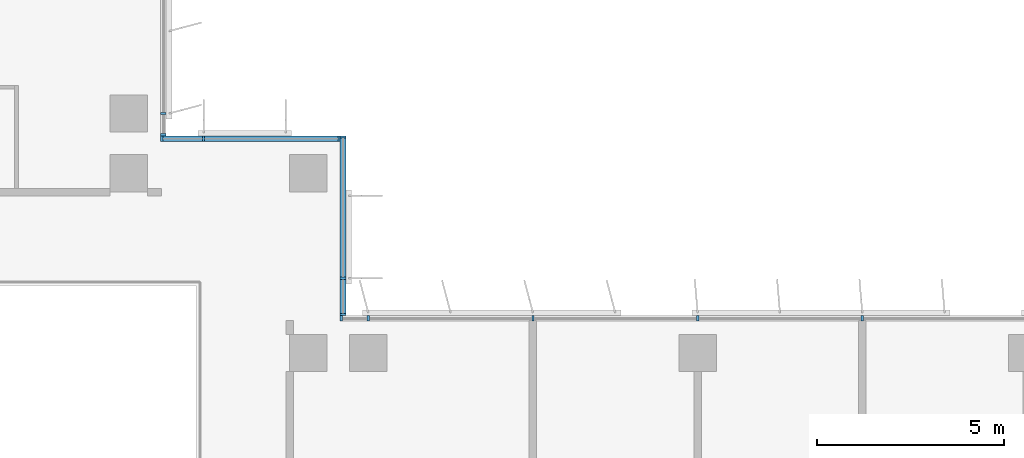
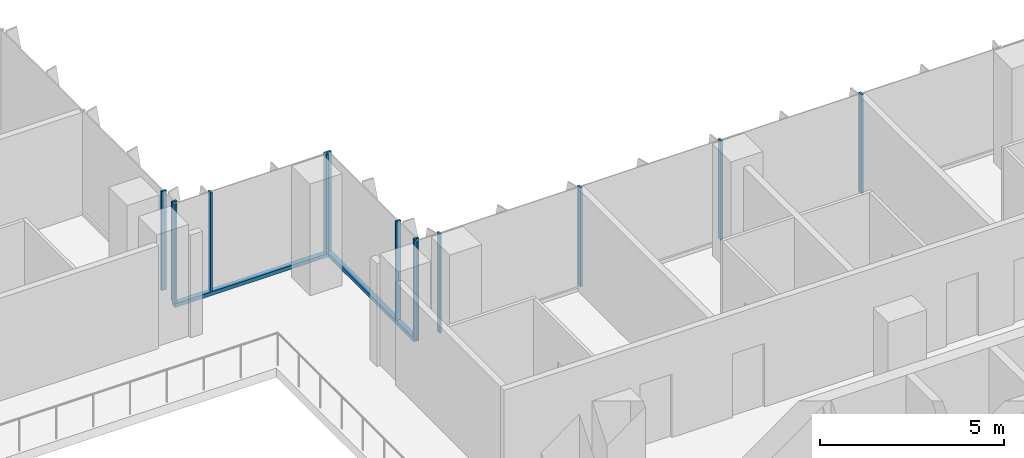
# One storey, part 2 of 21: 15 members, 4 elements without a shape of their own.
"""IFC4 building model written with IfcOpenShell, lengths in metres."""

from ifc_helpers import new_model, si_unit, direction, frame, origin, origin_2d, place, context, subcontext, project, spatial, rectangle, extrude, source, transform, mapped, material, material_profile, profile_set, type_object, element, aggregate, save


model = new_model("IFC4")

# Units and contexts
model_context = context("Model", 3, precision=1e-05, world=origin(), true_north=direction((0.0, 1.0)))
body_context = subcontext(model_context, "Body", "Model", "MODEL_VIEW")
ifc_project = project(units=[si_unit("LENGTHUNIT", "METRE"), si_unit("AREAUNIT", "SQUARE_METRE"), si_unit("VOLUMEUNIT", "CUBIC_METRE"), si_unit("PLANEANGLEUNIT", "RADIAN"), si_unit("MASSUNIT", "GRAM", prefix="KILO")], contexts=[model_context])

# Site, building, storey
site_placement = place(None, origin())
site = spatial("IfcSite", under=ifc_project, at=site_placement, CompositionType="ELEMENT")
building_placement = place(site_placement, origin())
building = spatial("IfcBuilding", under=site, at=building_placement, Name="Kemantara Hotel Tower", CompositionType="ELEMENT")
storey_placement = place(building_placement, frame((0.0, 0.0, 211.699951171875)))
storey = spatial("IfcBuildingStorey", under=building, at=storey_placement, Name="L52", CompositionType="ELEMENT", Elevation=211.699951171875)

# Curtain wall, member
ifc_material_1 = material(Name="Low-E tinted double insulated glass 36 mm", Category="glass")
curtain_wall_type = type_object("IfcCurtainWallType", Name="TOWER CURTAIN WALL, FRONT FACES", PredefinedType="USERDEFINED", material=ifc_material_1)
curtain_wall_1_placement = place(storey_placement, origin())
curtain_wall_1 = element("IfcCurtainWall", 1, at=curtain_wall_1_placement, inside=storey, type_object=curtain_wall_type, Name="CW4 L52 T3-R15-1", ObjectType="TOWER CURTAIN WALL, FRONT FACES", PredefinedType="USERDEFINED")
ifc_material_2 = material(Name="Aluminium 6063-T6 bronze anodised", Category="aluminium")
ifc_material_profile_1 = material_profile(ifc_material_2, rectangle(XDim=0.14990234375, YDim=0.1201171875, at=origin_2d()), Name="TOWER CURTAIN WALL, FRONT FACES TRANSOM")
ifc_profile_set_1 = profile_set([ifc_material_profile_1], Name="Aluminium 6063-T6 bronze anodised")
member_type_1 = type_object("IfcMemberType", Name="TOWER CURTAIN WALL, FRONT FACES TRANSOM", PredefinedType="USERDEFINED", material=ifc_profile_set_1)
member_1_placement = place(storey_placement, frame((26.72509765625, 22.0, 0.06005859375), z_axis=(0.0, 1.0, 0.0), x_axis=(-1.0, 0.0, 0.0)))
member_1 = element("IfcMember", 2, at=member_1_placement, type_object=member_type_1, Name="CW4 sill transom T3-R15-1", ObjectType="TRANSOM", PredefinedType="USERDEFINED", context=body_context, shape_type="SweptSolid", body=[
    extrude(rectangle(XDim=0.14990234375, YDim=0.1201171875, at=origin_2d()), origin(), (0.0, 0.0, 1.0), 4.800048828125),
])

curtain_wall_2_placement = place(storey_placement, origin())
curtain_wall_2 = element("IfcCurtainWall", 3, at=curtain_wall_2_placement, inside=storey, type_object=curtain_wall_type, Name="CW4 L52 T3-R16-1", ObjectType="TOWER CURTAIN WALL, FRONT FACES", PredefinedType="USERDEFINED")
member_2_placement = place(storey_placement, frame((26.64990234375, 26.72509765625, 0.06005859375), z_axis=(-1.0, 0.0, 0.0), x_axis=(0.0, -1.0, 0.0)))
member_2 = element("IfcMember", 4, at=member_2_placement, type_object=member_type_1, Name="CW4 sill transom T3-R16-1", ObjectType="TRANSOM", PredefinedType="USERDEFINED", context=body_context, shape_type="SweptSolid", body=[
    extrude(rectangle(XDim=0.14990234375, YDim=0.1201171875, at=origin_2d()), origin(), (0.0, 0.0, 1.0), 4.7998046875),
])

# Curtain wall, members
curtain_wall_3_placement = place(storey_placement, origin())
curtain_wall_3 = element("IfcCurtainWall", 5, at=curtain_wall_3_placement, inside=storey, type_object=curtain_wall_type, Name="CW4 L52 T3-R14-1", ObjectType="TOWER CURTAIN WALL, FRONT FACES", PredefinedType="USERDEFINED")
ifc_material_profile_2 = material_profile(ifc_material_2, rectangle(XDim=0.14990234375, YDim=0.06005859375, at=origin_2d()), Name="TOWER CURTAIN WALL, FRONT FACES MULLION")
ifc_profile_set_2 = profile_set([ifc_material_profile_2], Name="Aluminium 6063-T6 bronze anodised")
member_type_2 = type_object("IfcMemberType", Name="TOWER CURTAIN WALL, FRONT FACES MULLION", PredefinedType="MULLION", material=ifc_profile_set_2)
shared_shape = source(origin(), body_context, "Body", "SweptSolid", [
    extrude(rectangle(XDim=0.14990234375, YDim=0.06005859375, at=origin_2d()), origin(), (0.0, 0.0, 1.0), 3.280029296875),
])
member_3_placement = place(storey_placement, frame((40.60009765625, 21.925048828125, 0.1201171875), z_axis=(0.0, 0.0, 1.0), x_axis=(0.0, -1.0, 0.0)))
member_3 = element("IfcMember", 6, at=member_3_placement, type_object=member_type_2, Name="CW4 mullion T3-R14-1.6", PredefinedType="MULLION", context=body_context, shape_type="MappedRepresentation", body=[
    mapped(shared_shape, transform((0.0, 0.0, 0.0))),
])
member_4_placement = place(storey_placement, frame((36.199951171875, 21.925048828125, 0.1201171875), z_axis=(0.0, 0.0, 1.0), x_axis=(0.0, -1.0, 0.0)))
member_4 = element("IfcMember", 7, at=member_4_placement, type_object=member_type_2, Name="CW4 mullion T3-R14-1.7", PredefinedType="MULLION", context=body_context, shape_type="MappedRepresentation", body=[
    mapped(shared_shape, transform((0.0, 0.0, 0.0))),
])
member_5_placement = place(storey_placement, frame((31.800048828125, 21.925048828125, 0.1201171875), z_axis=(0.0, 0.0, 1.0), x_axis=(0.0, -1.0, 0.0)))
member_5 = element("IfcMember", 8, at=member_5_placement, type_object=member_type_2, Name="CW4 mullion T3-R14-1.8", PredefinedType="MULLION", context=body_context, shape_type="MappedRepresentation", body=[
    mapped(shared_shape, transform((0.0, 0.0, 0.0))),
])
member_6_placement = place(storey_placement, frame((27.39990234375, 21.925048828125, 0.1201171875), z_axis=(0.0, 0.0, 1.0), x_axis=(0.0, -1.0, 0.0)))
member_6 = element("IfcMember", 9, at=member_6_placement, type_object=member_type_2, Name="CW4 mullion T3-R14-1.9", PredefinedType="MULLION", context=body_context, shape_type="MappedRepresentation", body=[
    mapped(shared_shape, transform((0.0, 0.0, 0.0))),
])
member_7_placement = place(storey_placement, frame((26.679931640625, 21.925048828125, 0.1201171875), z_axis=(0.0, 0.0, 1.0), x_axis=(0.0, -1.0, 0.0)))
member_7 = element("IfcMember", 10, at=member_7_placement, type_object=member_type_2, Name="CW4 mullion T3-R14-1.10", PredefinedType="MULLION", context=body_context, shape_type="MappedRepresentation", body=[
    mapped(shared_shape, transform((0.0, 0.0, 0.0))),
])
aggregate(curtain_wall_3, [member_3, member_4, member_5, member_6, member_7])

# Member
member_8_placement = place(storey_placement, frame((26.72509765625, 22.030029296875, 0.1201171875), z_axis=(0.0, 0.0, 1.0), x_axis=(-1.0, 0.0, 0.0)))
member_8 = element("IfcMember", 11, at=member_8_placement, type_object=member_type_2, Name="CW4 mullion T3-R15-1.1", PredefinedType="MULLION", context=body_context, shape_type="MappedRepresentation", body=[
    mapped(shared_shape, transform((0.0, 0.0, 0.0))),
])

member_9_placement = place(storey_placement, frame((26.72509765625, 23.0, 0.1201171875), z_axis=(0.0, 0.0, 1.0), x_axis=(-1.0, 0.0, 0.0)))
member_9 = element("IfcMember", 12, at=member_9_placement, type_object=member_type_2, Name="CW4 mullion T3-R15-1.2", PredefinedType="MULLION", context=body_context, shape_type="MappedRepresentation", body=[
    mapped(shared_shape, transform((0.0, 0.0, 0.0))),
])

member_10_placement = place(storey_placement, frame((26.72509765625, 26.77001953125, 0.1201171875), z_axis=(0.0, 0.0, 1.0), x_axis=(-1.0, 0.0, 0.0)))
member_10 = element("IfcMember", 13, at=member_10_placement, type_object=member_type_2, Name="CW4 mullion T3-R15-1.3", PredefinedType="MULLION", context=body_context, shape_type="MappedRepresentation", body=[
    mapped(shared_shape, transform((0.0, 0.0, 0.0))),
])

aggregate(curtain_wall_1, [member_1, member_8, member_9, member_10])

member_11_placement = place(storey_placement, frame((26.6201171875, 26.72509765625, 0.1201171875), z_axis=(0.0, 0.0, 1.0), x_axis=(0.0, -1.0, 0.0)))
member_11 = element("IfcMember", 14, at=member_11_placement, type_object=member_type_2, Name="CW4 mullion T3-R16-1.1", PredefinedType="MULLION", context=body_context, shape_type="MappedRepresentation", body=[
    mapped(shared_shape, transform((0.0, 0.0, 0.0))),
])

member_12_placement = place(storey_placement, frame((23.0, 26.72509765625, 0.1201171875), z_axis=(0.0, 0.0, 1.0), x_axis=(0.0, -1.0, 0.0)))
member_12 = element("IfcMember", 15, at=member_12_placement, type_object=member_type_2, Name="CW4 mullion T3-R16-1.2", PredefinedType="MULLION", context=body_context, shape_type="MappedRepresentation", body=[
    mapped(shared_shape, transform((0.0, 0.0, 0.0))),
])

member_13_placement = place(storey_placement, frame((21.8798828125, 26.72509765625, 0.1201171875), z_axis=(0.0, 0.0, 1.0), x_axis=(0.0, -1.0, 0.0)))
member_13 = element("IfcMember", 16, at=member_13_placement, type_object=member_type_2, Name="CW4 mullion T3-R16-1.3", PredefinedType="MULLION", context=body_context, shape_type="MappedRepresentation", body=[
    mapped(shared_shape, transform((0.0, 0.0, 0.0))),
])

aggregate(curtain_wall_2, [member_2, member_11, member_12, member_13])

# Curtain wall, members
curtain_wall_4_placement = place(storey_placement, origin())
curtain_wall_4 = element("IfcCurtainWall", 17, at=curtain_wall_4_placement, inside=storey, type_object=curtain_wall_type, Name="CW4 L52 T3-R17-1", ObjectType="TOWER CURTAIN WALL, FRONT FACES", PredefinedType="USERDEFINED")
member_14_placement = place(storey_placement, frame((21.925048828125, 26.830078125, 0.1201171875), z_axis=(0.0, 0.0, 1.0), x_axis=(-1.0, 0.0, 0.0)))
member_14 = element("IfcMember", 18, at=member_14_placement, type_object=member_type_2, Name="CW4 mullion T3-R17-1.1", PredefinedType="MULLION", context=body_context, shape_type="MappedRepresentation", body=[
    mapped(shared_shape, transform((0.0, 0.0, 0.0))),
])
member_15_placement = place(storey_placement, frame((21.925048828125, 27.39990234375, 0.1201171875), z_axis=(0.0, 0.0, 1.0), x_axis=(-1.0, 0.0, 0.0)))
member_15 = element("IfcMember", 19, at=member_15_placement, type_object=member_type_2, Name="CW4 mullion T3-R17-1.2", PredefinedType="MULLION", context=body_context, shape_type="MappedRepresentation", body=[
    mapped(shared_shape, transform((0.0, 0.0, 0.0))),
])
aggregate(curtain_wall_4, [member_14, member_15])

save(model, "model.ifc")
